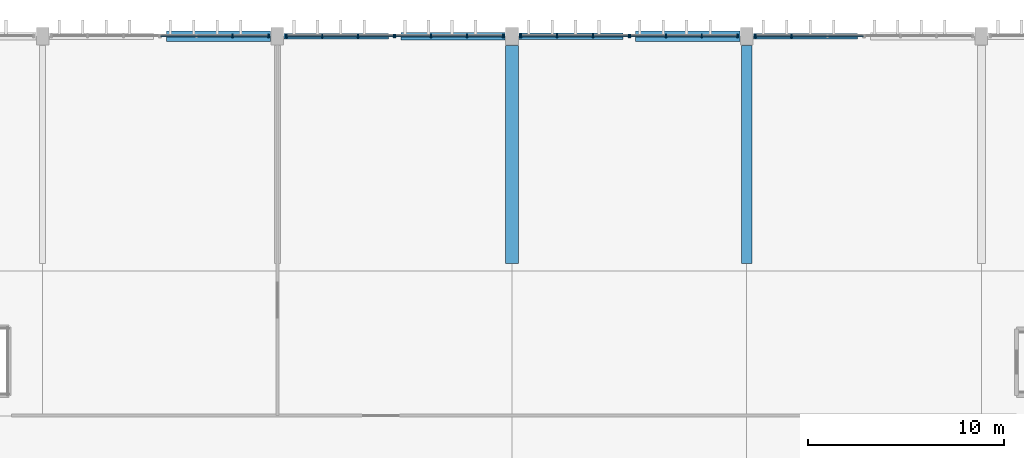
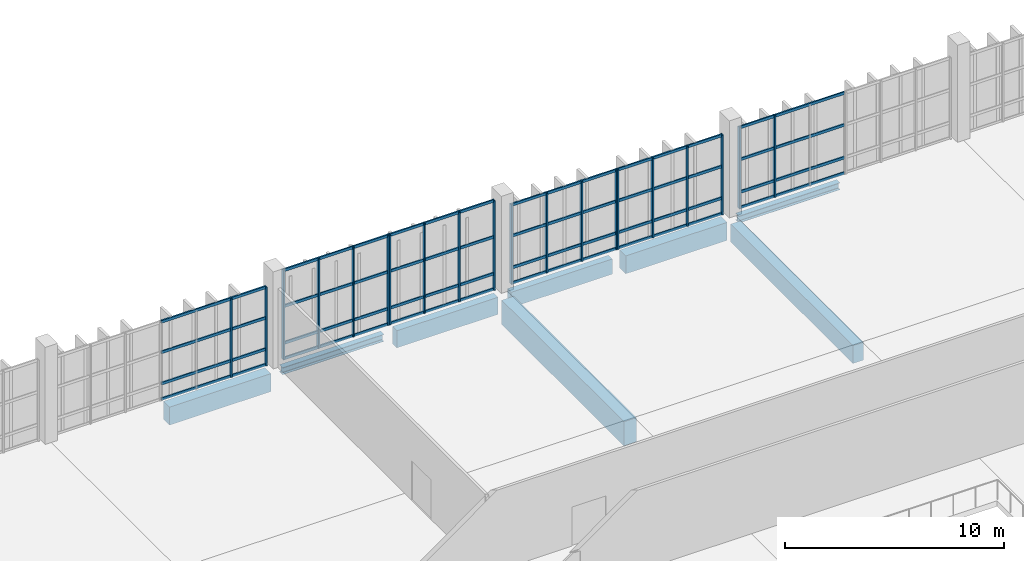
# One storey, part 55 of 112: 44 members, 8 beams, 6 elements without a shape of their own.
"""IFC4 building model written with IfcOpenShell, lengths in metres."""

from ifc_helpers import new_model, si_unit, direction, frame, origin, origin_2d, place, context, subcontext, project, spatial, rectangle, i_section, extrude, material, material_profile, profile_set, type_object, element, aggregate, save


model = new_model("IFC4")

# Units and contexts
model_context = context("Model", 3, precision=1e-05, world=origin(), true_north=direction((0.0, 1.0)))
body_context = subcontext(model_context, "Body", "Model", "MODEL_VIEW")
ifc_project = project(units=[si_unit("LENGTHUNIT", "METRE"), si_unit("AREAUNIT", "SQUARE_METRE"), si_unit("VOLUMEUNIT", "CUBIC_METRE"), si_unit("PLANEANGLEUNIT", "RADIAN"), si_unit("MASSUNIT", "GRAM", prefix="KILO")], contexts=[model_context])

# Site, building, storey
site_placement = place(None, origin())
site = spatial("IfcSite", under=ifc_project, at=site_placement, CompositionType="ELEMENT")
building_placement = place(site_placement, origin())
building = spatial("IfcBuilding", under=site, at=building_placement, Name="Kamomehara Wholesale Market", CompositionType="ELEMENT")
storey_placement = place(building_placement, frame((0.0, 0.0, 6.60009765625)))
storey = spatial("IfcBuildingStorey", under=building, at=storey_placement, Name="L01", CompositionType="ELEMENT", Elevation=6.60009765625)

# Beams
ifc_material_1 = material(Name="Precast concrete Fc45 (C40/50)", Category="concrete")
ifc_material_profile_1 = material_profile(ifc_material_1, rectangle(XDim=0.64990234375, YDim=1.35009765625, at=origin_2d()), Name="PC-GRD-650x1350")
ifc_profile_set_1 = profile_set([ifc_material_profile_1], Name="Precast concrete Fc45 (C40/50)")
beam_type_1 = type_object("IfcBeamType", Name="BM-PG1350", PredefinedType="T_BEAM", material=ifc_profile_set_1)
beam_1_placement = place(storey_placement, frame((144.0, 144.375, -1.027099609375), z_axis=(0.0, 1.0, 0.0), x_axis=(-1.0, 0.0, 0.0)))
element("IfcBeam", 1, at=beam_1_placement, inside=storey, type_object=beam_type_1, Name="Beam PG-03 L01", PredefinedType="T_BEAM", context=body_context, shape_type="SweptSolid", body=[
    extrude(rectangle(XDim=0.64990234375, YDim=1.35009765625, at=origin_2d()), origin(), (0.0, 0.0, 1.0), 11.14990234375),
])
ifc_material_2 = material(Name="Concrete Fc36 (C35/45)", Category="concrete")
ifc_material_profile_2 = material_profile(ifc_material_2, rectangle(XDim=0.550048828125, YDim=1.0, at=origin_2d()), Name="RC-SEB-550x1000")
ifc_profile_set_2 = profile_set([ifc_material_profile_2], Name="Concrete Fc36 (C35/45)")
beam_type_2 = type_object("IfcBeamType", Name="BM-SEB1000-EXT", PredefinedType="SPANDREL", material=ifc_profile_set_2)
beam_2_placement = place(storey_placement, frame((156.0, 144.375, -0.842041015625), z_axis=(0.0, 1.0, 0.0), x_axis=(-1.0, 0.0, 0.0)))
element("IfcBeam", 2, at=beam_2_placement, inside=storey, type_object=beam_type_2, Name="Beam SEB-03E L01", PredefinedType="SPANDREL", context=body_context, shape_type="SweptSolid", body=[
    extrude(rectangle(XDim=0.550048828125, YDim=1.0, at=origin_2d()), origin(), (0.0, 0.0, 1.0), 11.14990234375),
])
for number, where, z_axis, x_axis, name in (
    (3, (126.324951171875, 156.0, -0.85205078125), (1.0, 0.0, 0.0), (0.0, 1.0, 0.0), "Beam SEB-03E L01"),
    (4, (150.324951171875, 156.0, -0.842041015625), (1.0, 0.0, 0.0), (0.0, 1.0, 0.0), "Beam SEB-03E L01"),
):
    element("IfcBeam", number, at=place(storey_placement, frame(where, z_axis=z_axis, x_axis=x_axis)), inside=storey, type_object=beam_type_2, Name=name, PredefinedType="SPANDREL", context=body_context, shape_type="SweptSolid", body=[
        extrude(rectangle(XDim=0.550048828125, YDim=1.0, at=origin_2d()), origin(), (0.0, 0.0, 1.0), 5.324951171875),
    ])
ifc_material_3 = material(Name="Precast concrete Fc45 (C40/50)", Category="concrete")
ifc_material_profile_3 = material_profile(ifc_material_3, rectangle(XDim=0.35009765625, YDim=0.85009765625, at=origin_2d()), Name="PC-SPN-350x850")
ifc_profile_set_3 = profile_set([ifc_material_profile_3], Name="Precast concrete Fc45 (C40/50)")
beam_type_3 = type_object("IfcBeamType", Name="BM-SPN850-EXT", PredefinedType="SPANDREL", material=ifc_profile_set_3)
beam_3_placement = place(storey_placement, frame((144.35009765625, 156.0, -0.76708984375), z_axis=(1.0, 0.0, 0.0), x_axis=(0.0, 1.0, 0.0)))
element("IfcBeam", 5, at=beam_3_placement, inside=storey, type_object=beam_type_3, Name="Beam SPN-02E L01", PredefinedType="SPANDREL", context=body_context, shape_type="SweptSolid", body=[
    extrude(rectangle(XDim=0.35009765625, YDim=0.85009765625, at=origin_2d()), origin(), (0.0, 0.0, 1.0), 5.324951171875),
])
ifc_material_4 = material(Name="Precast concrete Fc45 (C40/50)", Category="concrete")
ifc_material_profile_4 = material_profile(ifc_material_4, rectangle(XDim=0.39990234375, YDim=0.949951171875, at=origin_2d()), Name="PC-SPN-400x950")
ifc_profile_set_4 = profile_set([ifc_material_profile_4], Name="Precast concrete Fc45 (C40/50)")
beam_type_4 = type_object("IfcBeamType", Name="BM-SPN950-EXT", PredefinedType="SPANDREL", material=ifc_profile_set_4)
beam_4_placement = place(storey_placement, frame((138.324951171875, 156.0, -0.8271484375), z_axis=(1.0, 0.0, 0.0), x_axis=(0.0, 1.0, 0.0)))
element("IfcBeam", 6, at=beam_4_placement, inside=storey, type_object=beam_type_4, Name="Beam SPN-01E L01", PredefinedType="SPANDREL", context=body_context, shape_type="SweptSolid", body=[
    extrude(rectangle(XDim=0.39990234375, YDim=0.949951171875, at=origin_2d()), origin(), (0.0, 0.0, 1.0), 5.324951171875),
])
ifc_material_5 = material(Name="Steel SN490B", Category="steel")
ifc_material_profile_5 = material_profile(ifc_material_5, i_section(OverallWidth=0.300048828125, OverallDepth=0.389892578125, WebThickness=0.010009765625, FlangeThickness=0.01611328125, FilletRadius=0.01806640625, at=origin_2d()), Name="H-390x300x10x16")
ifc_profile_set_5 = profile_set([ifc_material_profile_5], Name="Steel SN490B")
beam_type_5 = type_object("IfcBeamType", Name="BM-ST-H390-EXT", PredefinedType="SPANDREL", material=ifc_profile_set_5)
for number, where, z_axis, x_axis, name in (
    (7, (132.35009765625, 156.0, -0.547119140625), (1.0, 0.0, 0.0), (0.0, 1.0, 0.0), "Beam SJ-03E L01"),
    (8, (156.35009765625, 156.0, -0.51708984375), (1.0, 0.0, 0.0), (0.0, 1.0, 0.0), "Beam SJ-03E L01"),
):
    element("IfcBeam", number, at=place(storey_placement, frame(where, z_axis=z_axis, x_axis=x_axis)), inside=storey, type_object=beam_type_5, Name=name, PredefinedType="SPANDREL", context=body_context, shape_type="SweptSolid", body=[
        extrude(i_section(OverallWidth=0.300048828125, OverallDepth=0.389892578125, WebThickness=0.010009765625, FlangeThickness=0.01611328125, FilletRadius=0.01806640625, at=origin_2d()), origin(), (0.0, 0.0, 1.0), 5.324951171875),
    ])

# Curtain wall, members
ifc_material_6 = material(Name="Anodised aluminium 6063-T5", Category="aluminium")
curtain_wall_type = type_object("IfcCurtainWallType", Name="CW-UN-02", PredefinedType="NOTDEFINED", material=ifc_material_6)
curtain_wall_1_placement = place(storey_placement, origin())
curtain_wall_1 = element("IfcCurtainWall", 9, at=curtain_wall_1_placement, inside=storey, type_object=curtain_wall_type, Name="Unitised curtain wall CW-078", PredefinedType="NOTDEFINED")
ifc_material_7 = material(Name="Anodised aluminium 6063-T5", Category="aluminium")
ifc_material_profile_6 = material_profile(ifc_material_7, rectangle(XDim=0.074951171875, YDim=0.179931640625, at=origin_2d()), Name="ALU-MUL-75x180")
ifc_profile_set_6 = profile_set([ifc_material_profile_6], Name="Anodised aluminium 6063-T5")
member_type_1 = type_object("IfcMemberType", Name="CW-MUL-180", PredefinedType="MULLION", material=ifc_profile_set_6)
member_1_placement = place(storey_placement, frame((129.702880859375, 156.0, 0.0), z_axis=(0.0, 0.0, 1.0), x_axis=(1.0, 0.0, 0.0)))
member_1 = element("IfcMember", 10, at=member_1_placement, type_object=member_type_1, Name="Mullion CW-078.2", PredefinedType="MULLION", context=body_context, shape_type="SweptSolid", body=[
    extrude(rectangle(XDim=0.074951171875, YDim=0.179931640625, at=origin_2d()), origin(), (0.0, 0.0, 1.0), 4.3798828125),
])
member_2_placement = place(storey_placement, frame((131.5400390625, 156.0, 0.0), z_axis=(0.0, 0.0, 1.0), x_axis=(1.0, 0.0, 0.0)))
member_2 = element("IfcMember", 11, at=member_2_placement, type_object=member_type_1, Name="Mullion CW-078.3", PredefinedType="MULLION", context=body_context, shape_type="SweptSolid", body=[
    extrude(rectangle(XDim=0.074951171875, YDim=0.179931640625, at=origin_2d()), origin(), (0.0, 0.0, 1.0), 4.3798828125),
])

curtain_wall_2_placement = place(storey_placement, origin())
curtain_wall_2 = element("IfcCurtainWall", 12, at=curtain_wall_2_placement, inside=storey, type_object=curtain_wall_type, Name="Unitised curtain wall CW-081", PredefinedType="NOTDEFINED")
member_3_placement = place(storey_placement, frame((132.4599609375, 156.0, 0.0), z_axis=(0.0, 0.0, 1.0), x_axis=(1.0, 0.0, 0.0)))
member_3 = element("IfcMember", 13, at=member_3_placement, type_object=member_type_1, Name="Mullion CW-081.0", PredefinedType="MULLION", context=body_context, shape_type="SweptSolid", body=[
    extrude(rectangle(XDim=0.074951171875, YDim=0.179931640625, at=origin_2d()), origin(), (0.0, 0.0, 1.0), 4.989990234375),
])
member_4_placement = place(storey_placement, frame((134.297119140625, 156.0, 0.0), z_axis=(0.0, 0.0, 1.0), x_axis=(1.0, 0.0, 0.0)))
member_4 = element("IfcMember", 14, at=member_4_placement, type_object=member_type_1, Name="Mullion CW-081.1", PredefinedType="MULLION", context=body_context, shape_type="SweptSolid", body=[
    extrude(rectangle(XDim=0.074951171875, YDim=0.179931640625, at=origin_2d()), origin(), (0.0, 0.0, 1.0), 4.989990234375),
])
member_5_placement = place(storey_placement, frame((136.133056640625, 156.0, 0.0), z_axis=(0.0, 0.0, 1.0), x_axis=(1.0, 0.0, 0.0)))
member_5 = element("IfcMember", 15, at=member_5_placement, type_object=member_type_1, Name="Mullion CW-081.2", PredefinedType="MULLION", context=body_context, shape_type="SweptSolid", body=[
    extrude(rectangle(XDim=0.074951171875, YDim=0.179931640625, at=origin_2d()), origin(), (0.0, 0.0, 1.0), 4.989990234375),
])
member_6_placement = place(storey_placement, frame((137.969970703125, 156.0, 0.0), z_axis=(0.0, 0.0, 1.0), x_axis=(1.0, 0.0, 0.0)))
member_6 = element("IfcMember", 16, at=member_6_placement, type_object=member_type_1, Name="Mullion CW-081.3", PredefinedType="MULLION", context=body_context, shape_type="SweptSolid", body=[
    extrude(rectangle(XDim=0.074951171875, YDim=0.179931640625, at=origin_2d()), origin(), (0.0, 0.0, 1.0), 4.989990234375),
])

curtain_wall_3_placement = place(storey_placement, origin())
curtain_wall_3 = element("IfcCurtainWall", 17, at=curtain_wall_3_placement, inside=storey, type_object=curtain_wall_type, Name="Unitised curtain wall CW-082", PredefinedType="NOTDEFINED")
member_7_placement = place(storey_placement, frame((138.030029296875, 156.0, 0.0), z_axis=(0.0, 0.0, 1.0), x_axis=(1.0, 0.0, 0.0)))
member_7 = element("IfcMember", 18, at=member_7_placement, type_object=member_type_1, Name="Mullion CW-082.0", PredefinedType="MULLION", context=body_context, shape_type="SweptSolid", body=[
    extrude(rectangle(XDim=0.074951171875, YDim=0.179931640625, at=origin_2d()), origin(), (0.0, 0.0, 1.0), 4.989990234375),
])
member_8_placement = place(storey_placement, frame((139.866943359375, 156.0, 0.0), z_axis=(0.0, 0.0, 1.0), x_axis=(1.0, 0.0, 0.0)))
member_8 = element("IfcMember", 19, at=member_8_placement, type_object=member_type_1, Name="Mullion CW-082.1", PredefinedType="MULLION", context=body_context, shape_type="SweptSolid", body=[
    extrude(rectangle(XDim=0.074951171875, YDim=0.179931640625, at=origin_2d()), origin(), (0.0, 0.0, 1.0), 4.989990234375),
])
member_9_placement = place(storey_placement, frame((141.702880859375, 156.0, 0.0), z_axis=(0.0, 0.0, 1.0), x_axis=(1.0, 0.0, 0.0)))
member_9 = element("IfcMember", 20, at=member_9_placement, type_object=member_type_1, Name="Mullion CW-082.2", PredefinedType="MULLION", context=body_context, shape_type="SweptSolid", body=[
    extrude(rectangle(XDim=0.074951171875, YDim=0.179931640625, at=origin_2d()), origin(), (0.0, 0.0, 1.0), 4.989990234375),
])
member_10_placement = place(storey_placement, frame((143.5400390625, 156.0, 0.0), z_axis=(0.0, 0.0, 1.0), x_axis=(1.0, 0.0, 0.0)))
member_10 = element("IfcMember", 21, at=member_10_placement, type_object=member_type_1, Name="Mullion CW-082.3", PredefinedType="MULLION", context=body_context, shape_type="SweptSolid", body=[
    extrude(rectangle(XDim=0.074951171875, YDim=0.179931640625, at=origin_2d()), origin(), (0.0, 0.0, 1.0), 4.989990234375),
])

curtain_wall_4_placement = place(storey_placement, origin())
curtain_wall_4 = element("IfcCurtainWall", 22, at=curtain_wall_4_placement, inside=storey, type_object=curtain_wall_type, Name="Unitised curtain wall CW-085", PredefinedType="NOTDEFINED")
member_11_placement = place(storey_placement, frame((144.4599609375, 156.0, 0.0), z_axis=(0.0, 0.0, 1.0), x_axis=(1.0, 0.0, 0.0)))
member_11 = element("IfcMember", 23, at=member_11_placement, type_object=member_type_1, Name="Mullion CW-085.0", PredefinedType="MULLION", context=body_context, shape_type="SweptSolid", body=[
    extrude(rectangle(XDim=0.074951171875, YDim=0.179931640625, at=origin_2d()), origin(), (0.0, 0.0, 1.0), 4.429931640625),
])
member_12_placement = place(storey_placement, frame((146.297119140625, 156.0, 0.0), z_axis=(0.0, 0.0, 1.0), x_axis=(1.0, 0.0, 0.0)))
member_12 = element("IfcMember", 24, at=member_12_placement, type_object=member_type_1, Name="Mullion CW-085.1", PredefinedType="MULLION", context=body_context, shape_type="SweptSolid", body=[
    extrude(rectangle(XDim=0.074951171875, YDim=0.179931640625, at=origin_2d()), origin(), (0.0, 0.0, 1.0), 4.429931640625),
])
member_13_placement = place(storey_placement, frame((148.133056640625, 156.0, 0.0), z_axis=(0.0, 0.0, 1.0), x_axis=(1.0, 0.0, 0.0)))
member_13 = element("IfcMember", 25, at=member_13_placement, type_object=member_type_1, Name="Mullion CW-085.2", PredefinedType="MULLION", context=body_context, shape_type="SweptSolid", body=[
    extrude(rectangle(XDim=0.074951171875, YDim=0.179931640625, at=origin_2d()), origin(), (0.0, 0.0, 1.0), 4.429931640625),
])
member_14_placement = place(storey_placement, frame((149.969970703125, 156.0, 0.0), z_axis=(0.0, 0.0, 1.0), x_axis=(1.0, 0.0, 0.0)))
member_14 = element("IfcMember", 26, at=member_14_placement, type_object=member_type_1, Name="Mullion CW-085.3", PredefinedType="MULLION", context=body_context, shape_type="SweptSolid", body=[
    extrude(rectangle(XDim=0.074951171875, YDim=0.179931640625, at=origin_2d()), origin(), (0.0, 0.0, 1.0), 4.429931640625),
])

curtain_wall_5_placement = place(storey_placement, origin())
curtain_wall_5 = element("IfcCurtainWall", 27, at=curtain_wall_5_placement, inside=storey, type_object=curtain_wall_type, Name="Unitised curtain wall CW-086", PredefinedType="NOTDEFINED")
member_15_placement = place(storey_placement, frame((150.030029296875, 156.0, 0.0), z_axis=(0.0, 0.0, 1.0), x_axis=(1.0, 0.0, 0.0)))
member_15 = element("IfcMember", 28, at=member_15_placement, type_object=member_type_1, Name="Mullion CW-086.0", PredefinedType="MULLION", context=body_context, shape_type="SweptSolid", body=[
    extrude(rectangle(XDim=0.074951171875, YDim=0.179931640625, at=origin_2d()), origin(), (0.0, 0.0, 1.0), 4.429931640625),
])
member_16_placement = place(storey_placement, frame((151.866943359375, 156.0, 0.0), z_axis=(0.0, 0.0, 1.0), x_axis=(1.0, 0.0, 0.0)))
member_16 = element("IfcMember", 29, at=member_16_placement, type_object=member_type_1, Name="Mullion CW-086.1", PredefinedType="MULLION", context=body_context, shape_type="SweptSolid", body=[
    extrude(rectangle(XDim=0.074951171875, YDim=0.179931640625, at=origin_2d()), origin(), (0.0, 0.0, 1.0), 4.429931640625),
])
member_17_placement = place(storey_placement, frame((153.702880859375, 156.0, 0.0), z_axis=(0.0, 0.0, 1.0), x_axis=(1.0, 0.0, 0.0)))
member_17 = element("IfcMember", 30, at=member_17_placement, type_object=member_type_1, Name="Mullion CW-086.2", PredefinedType="MULLION", context=body_context, shape_type="SweptSolid", body=[
    extrude(rectangle(XDim=0.074951171875, YDim=0.179931640625, at=origin_2d()), origin(), (0.0, 0.0, 1.0), 4.429931640625),
])
member_18_placement = place(storey_placement, frame((155.5400390625, 156.0, 0.0), z_axis=(0.0, 0.0, 1.0), x_axis=(1.0, 0.0, 0.0)))
member_18 = element("IfcMember", 31, at=member_18_placement, type_object=member_type_1, Name="Mullion CW-086.3", PredefinedType="MULLION", context=body_context, shape_type="SweptSolid", body=[
    extrude(rectangle(XDim=0.074951171875, YDim=0.179931640625, at=origin_2d()), origin(), (0.0, 0.0, 1.0), 4.429931640625),
])

curtain_wall_6_placement = place(storey_placement, origin())
curtain_wall_6 = element("IfcCurtainWall", 32, at=curtain_wall_6_placement, inside=storey, type_object=curtain_wall_type, Name="Unitised curtain wall CW-089", PredefinedType="NOTDEFINED")
member_19_placement = place(storey_placement, frame((156.4599609375, 156.0, 0.0), z_axis=(0.0, 0.0, 1.0), x_axis=(1.0, 0.0, 0.0)))
member_19 = element("IfcMember", 33, at=member_19_placement, type_object=member_type_1, Name="Mullion CW-089.0", PredefinedType="MULLION", context=body_context, shape_type="SweptSolid", body=[
    extrude(rectangle(XDim=0.074951171875, YDim=0.179931640625, at=origin_2d()), origin(), (0.0, 0.0, 1.0), 4.52978515625),
])
member_20_placement = place(storey_placement, frame((158.297119140625, 156.0, 0.0), z_axis=(0.0, 0.0, 1.0), x_axis=(1.0, 0.0, 0.0)))
member_20 = element("IfcMember", 34, at=member_20_placement, type_object=member_type_1, Name="Mullion CW-089.1", PredefinedType="MULLION", context=body_context, shape_type="SweptSolid", body=[
    extrude(rectangle(XDim=0.074951171875, YDim=0.179931640625, at=origin_2d()), origin(), (0.0, 0.0, 1.0), 4.52978515625),
])

# Member
ifc_material_8 = material(Name="Anodised aluminium 6063-T5", Category="aluminium")
ifc_material_profile_7 = material_profile(ifc_material_8, rectangle(XDim=0.074951171875, YDim=0.14990234375, at=origin_2d()), Name="ALU-TRN-75x150")
ifc_profile_set_7 = profile_set([ifc_material_profile_7], Name="Anodised aluminium 6063-T5")
member_type_2 = type_object("IfcMemberType", Name="CW-TRN-150", PredefinedType="USERDEFINED", material=ifc_profile_set_7)
member_21_placement = place(storey_placement, frame((126.030029296875, 156.0, 0.039794921875), z_axis=(1.0, 0.0, 0.0), x_axis=(0.0, 1.0, 0.0)))
member_21 = element("IfcMember", 35, at=member_21_placement, type_object=member_type_2, Name="Transom CW-078.0", ObjectType="TRANSOM", PredefinedType="USERDEFINED", context=body_context, shape_type="SweptSolid", body=[
    extrude(rectangle(XDim=0.074951171875, YDim=0.14990234375, at=origin_2d()), origin(), (0.0, 0.0, 1.0), 5.510009765625),
])

member_22_placement = place(storey_placement, frame((126.030029296875, 156.0, 0.89990234375), z_axis=(1.0, 0.0, 0.0), x_axis=(0.0, 1.0, 0.0)))
member_22 = element("IfcMember", 36, at=member_22_placement, type_object=member_type_2, Name="Transom CW-078.1", ObjectType="TRANSOM", PredefinedType="USERDEFINED", context=body_context, shape_type="SweptSolid", body=[
    extrude(rectangle(XDim=0.074951171875, YDim=0.14990234375, at=origin_2d()), origin(), (0.0, 0.0, 1.0), 5.510009765625),
])

member_23_placement = place(storey_placement, frame((126.030029296875, 156.0, 2.639892578125), z_axis=(1.0, 0.0, 0.0), x_axis=(0.0, 1.0, 0.0)))
member_23 = element("IfcMember", 37, at=member_23_placement, type_object=member_type_2, Name="Transom CW-078.2", ObjectType="TRANSOM", PredefinedType="USERDEFINED", context=body_context, shape_type="SweptSolid", body=[
    extrude(rectangle(XDim=0.074951171875, YDim=0.14990234375, at=origin_2d()), origin(), (0.0, 0.0, 1.0), 5.510009765625),
])

member_24_placement = place(storey_placement, frame((126.030029296875, 156.0, 4.33984375), z_axis=(1.0, 0.0, 0.0), x_axis=(0.0, 1.0, 0.0)))
member_24 = element("IfcMember", 38, at=member_24_placement, type_object=member_type_2, Name="Transom CW-078.3", ObjectType="TRANSOM", PredefinedType="USERDEFINED", context=body_context, shape_type="SweptSolid", body=[
    extrude(rectangle(XDim=0.074951171875, YDim=0.14990234375, at=origin_2d()), origin(), (0.0, 0.0, 1.0), 5.510009765625),
])

aggregate(curtain_wall_1, [member_1, member_2, member_21, member_22, member_23, member_24])

member_25_placement = place(storey_placement, frame((132.4599609375, 156.0, 0.039794921875), z_axis=(1.0, 0.0, 0.0), x_axis=(0.0, 1.0, 0.0)))
member_25 = element("IfcMember", 39, at=member_25_placement, type_object=member_type_2, Name="Transom CW-081.0", ObjectType="TRANSOM", PredefinedType="USERDEFINED", context=body_context, shape_type="SweptSolid", body=[
    extrude(rectangle(XDim=0.074951171875, YDim=0.14990234375, at=origin_2d()), origin(), (0.0, 0.0, 1.0), 5.510009765625),
])

member_26_placement = place(storey_placement, frame((132.4599609375, 156.0, 0.89990234375), z_axis=(1.0, 0.0, 0.0), x_axis=(0.0, 1.0, 0.0)))
member_26 = element("IfcMember", 40, at=member_26_placement, type_object=member_type_2, Name="Transom CW-081.1", ObjectType="TRANSOM", PredefinedType="USERDEFINED", context=body_context, shape_type="SweptSolid", body=[
    extrude(rectangle(XDim=0.074951171875, YDim=0.14990234375, at=origin_2d()), origin(), (0.0, 0.0, 1.0), 5.510009765625),
])

member_27_placement = place(storey_placement, frame((132.4599609375, 156.0, 2.94482421875), z_axis=(1.0, 0.0, 0.0), x_axis=(0.0, 1.0, 0.0)))
member_27 = element("IfcMember", 41, at=member_27_placement, type_object=member_type_2, Name="Transom CW-081.2", ObjectType="TRANSOM", PredefinedType="USERDEFINED", context=body_context, shape_type="SweptSolid", body=[
    extrude(rectangle(XDim=0.074951171875, YDim=0.14990234375, at=origin_2d()), origin(), (0.0, 0.0, 1.0), 5.510009765625),
])

member_28_placement = place(storey_placement, frame((132.4599609375, 156.0, 4.949951171875), z_axis=(1.0, 0.0, 0.0), x_axis=(0.0, 1.0, 0.0)))
member_28 = element("IfcMember", 42, at=member_28_placement, type_object=member_type_2, Name="Transom CW-081.3", ObjectType="TRANSOM", PredefinedType="USERDEFINED", context=body_context, shape_type="SweptSolid", body=[
    extrude(rectangle(XDim=0.074951171875, YDim=0.14990234375, at=origin_2d()), origin(), (0.0, 0.0, 1.0), 5.510009765625),
])

aggregate(curtain_wall_2, [member_3, member_4, member_5, member_6, member_25, member_26, member_27, member_28])

member_29_placement = place(storey_placement, frame((138.030029296875, 156.0, 0.039794921875), z_axis=(1.0, 0.0, 0.0), x_axis=(0.0, 1.0, 0.0)))
member_29 = element("IfcMember", 43, at=member_29_placement, type_object=member_type_2, Name="Transom CW-082.0", ObjectType="TRANSOM", PredefinedType="USERDEFINED", context=body_context, shape_type="SweptSolid", body=[
    extrude(rectangle(XDim=0.074951171875, YDim=0.14990234375, at=origin_2d()), origin(), (0.0, 0.0, 1.0), 5.510009765625),
])

member_30_placement = place(storey_placement, frame((138.030029296875, 156.0, 0.89990234375), z_axis=(1.0, 0.0, 0.0), x_axis=(0.0, 1.0, 0.0)))
member_30 = element("IfcMember", 44, at=member_30_placement, type_object=member_type_2, Name="Transom CW-082.1", ObjectType="TRANSOM", PredefinedType="USERDEFINED", context=body_context, shape_type="SweptSolid", body=[
    extrude(rectangle(XDim=0.074951171875, YDim=0.14990234375, at=origin_2d()), origin(), (0.0, 0.0, 1.0), 5.510009765625),
])

member_31_placement = place(storey_placement, frame((138.030029296875, 156.0, 2.94482421875), z_axis=(1.0, 0.0, 0.0), x_axis=(0.0, 1.0, 0.0)))
member_31 = element("IfcMember", 45, at=member_31_placement, type_object=member_type_2, Name="Transom CW-082.2", ObjectType="TRANSOM", PredefinedType="USERDEFINED", context=body_context, shape_type="SweptSolid", body=[
    extrude(rectangle(XDim=0.074951171875, YDim=0.14990234375, at=origin_2d()), origin(), (0.0, 0.0, 1.0), 5.510009765625),
])

member_32_placement = place(storey_placement, frame((138.030029296875, 156.0, 4.949951171875), z_axis=(1.0, 0.0, 0.0), x_axis=(0.0, 1.0, 0.0)))
member_32 = element("IfcMember", 46, at=member_32_placement, type_object=member_type_2, Name="Transom CW-082.3", ObjectType="TRANSOM", PredefinedType="USERDEFINED", context=body_context, shape_type="SweptSolid", body=[
    extrude(rectangle(XDim=0.074951171875, YDim=0.14990234375, at=origin_2d()), origin(), (0.0, 0.0, 1.0), 5.510009765625),
])

aggregate(curtain_wall_3, [member_7, member_8, member_9, member_10, member_29, member_30, member_31, member_32])

member_33_placement = place(storey_placement, frame((144.4599609375, 156.0, 0.039794921875), z_axis=(1.0, 0.0, 0.0), x_axis=(0.0, 1.0, 0.0)))
member_33 = element("IfcMember", 47, at=member_33_placement, type_object=member_type_2, Name="Transom CW-085.0", ObjectType="TRANSOM", PredefinedType="USERDEFINED", context=body_context, shape_type="SweptSolid", body=[
    extrude(rectangle(XDim=0.074951171875, YDim=0.14990234375, at=origin_2d()), origin(), (0.0, 0.0, 1.0), 5.510009765625),
])

member_34_placement = place(storey_placement, frame((144.4599609375, 156.0, 0.89990234375), z_axis=(1.0, 0.0, 0.0), x_axis=(0.0, 1.0, 0.0)))
member_34 = element("IfcMember", 48, at=member_34_placement, type_object=member_type_2, Name="Transom CW-085.1", ObjectType="TRANSOM", PredefinedType="USERDEFINED", context=body_context, shape_type="SweptSolid", body=[
    extrude(rectangle(XDim=0.074951171875, YDim=0.14990234375, at=origin_2d()), origin(), (0.0, 0.0, 1.0), 5.510009765625),
])

member_35_placement = place(storey_placement, frame((144.4599609375, 156.0, 2.664794921875), z_axis=(1.0, 0.0, 0.0), x_axis=(0.0, 1.0, 0.0)))
member_35 = element("IfcMember", 49, at=member_35_placement, type_object=member_type_2, Name="Transom CW-085.2", ObjectType="TRANSOM", PredefinedType="USERDEFINED", context=body_context, shape_type="SweptSolid", body=[
    extrude(rectangle(XDim=0.074951171875, YDim=0.14990234375, at=origin_2d()), origin(), (0.0, 0.0, 1.0), 5.510009765625),
])

member_36_placement = place(storey_placement, frame((144.4599609375, 156.0, 4.389892578125), z_axis=(1.0, 0.0, 0.0), x_axis=(0.0, 1.0, 0.0)))
member_36 = element("IfcMember", 50, at=member_36_placement, type_object=member_type_2, Name="Transom CW-085.3", ObjectType="TRANSOM", PredefinedType="USERDEFINED", context=body_context, shape_type="SweptSolid", body=[
    extrude(rectangle(XDim=0.074951171875, YDim=0.14990234375, at=origin_2d()), origin(), (0.0, 0.0, 1.0), 5.510009765625),
])

aggregate(curtain_wall_4, [member_11, member_12, member_13, member_14, member_33, member_34, member_35, member_36])

member_37_placement = place(storey_placement, frame((150.030029296875, 156.0, 0.039794921875), z_axis=(1.0, 0.0, 0.0), x_axis=(0.0, 1.0, 0.0)))
member_37 = element("IfcMember", 51, at=member_37_placement, type_object=member_type_2, Name="Transom CW-086.0", ObjectType="TRANSOM", PredefinedType="USERDEFINED", context=body_context, shape_type="SweptSolid", body=[
    extrude(rectangle(XDim=0.074951171875, YDim=0.14990234375, at=origin_2d()), origin(), (0.0, 0.0, 1.0), 5.510009765625),
])

member_38_placement = place(storey_placement, frame((150.030029296875, 156.0, 0.89990234375), z_axis=(1.0, 0.0, 0.0), x_axis=(0.0, 1.0, 0.0)))
member_38 = element("IfcMember", 52, at=member_38_placement, type_object=member_type_2, Name="Transom CW-086.1", ObjectType="TRANSOM", PredefinedType="USERDEFINED", context=body_context, shape_type="SweptSolid", body=[
    extrude(rectangle(XDim=0.074951171875, YDim=0.14990234375, at=origin_2d()), origin(), (0.0, 0.0, 1.0), 5.510009765625),
])

member_39_placement = place(storey_placement, frame((150.030029296875, 156.0, 2.664794921875), z_axis=(1.0, 0.0, 0.0), x_axis=(0.0, 1.0, 0.0)))
member_39 = element("IfcMember", 53, at=member_39_placement, type_object=member_type_2, Name="Transom CW-086.2", ObjectType="TRANSOM", PredefinedType="USERDEFINED", context=body_context, shape_type="SweptSolid", body=[
    extrude(rectangle(XDim=0.074951171875, YDim=0.14990234375, at=origin_2d()), origin(), (0.0, 0.0, 1.0), 5.510009765625),
])

member_40_placement = place(storey_placement, frame((150.030029296875, 156.0, 4.389892578125), z_axis=(1.0, 0.0, 0.0), x_axis=(0.0, 1.0, 0.0)))
member_40 = element("IfcMember", 54, at=member_40_placement, type_object=member_type_2, Name="Transom CW-086.3", ObjectType="TRANSOM", PredefinedType="USERDEFINED", context=body_context, shape_type="SweptSolid", body=[
    extrude(rectangle(XDim=0.074951171875, YDim=0.14990234375, at=origin_2d()), origin(), (0.0, 0.0, 1.0), 5.510009765625),
])

aggregate(curtain_wall_5, [member_15, member_16, member_17, member_18, member_37, member_38, member_39, member_40])

member_41_placement = place(storey_placement, frame((156.4599609375, 156.0, 0.039794921875), z_axis=(1.0, 0.0, 0.0), x_axis=(0.0, 1.0, 0.0)))
member_41 = element("IfcMember", 55, at=member_41_placement, type_object=member_type_2, Name="Transom CW-089.0", ObjectType="TRANSOM", PredefinedType="USERDEFINED", context=body_context, shape_type="SweptSolid", body=[
    extrude(rectangle(XDim=0.074951171875, YDim=0.14990234375, at=origin_2d()), origin(), (0.0, 0.0, 1.0), 5.510009765625),
])

member_42_placement = place(storey_placement, frame((156.4599609375, 156.0, 0.89990234375), z_axis=(1.0, 0.0, 0.0), x_axis=(0.0, 1.0, 0.0)))
member_42 = element("IfcMember", 56, at=member_42_placement, type_object=member_type_2, Name="Transom CW-089.1", ObjectType="TRANSOM", PredefinedType="USERDEFINED", context=body_context, shape_type="SweptSolid", body=[
    extrude(rectangle(XDim=0.074951171875, YDim=0.14990234375, at=origin_2d()), origin(), (0.0, 0.0, 1.0), 5.510009765625),
])

member_43_placement = place(storey_placement, frame((156.4599609375, 156.0, 2.71484375), z_axis=(1.0, 0.0, 0.0), x_axis=(0.0, 1.0, 0.0)))
member_43 = element("IfcMember", 57, at=member_43_placement, type_object=member_type_2, Name="Transom CW-089.2", ObjectType="TRANSOM", PredefinedType="USERDEFINED", context=body_context, shape_type="SweptSolid", body=[
    extrude(rectangle(XDim=0.074951171875, YDim=0.14990234375, at=origin_2d()), origin(), (0.0, 0.0, 1.0), 5.510009765625),
])

member_44_placement = place(storey_placement, frame((156.4599609375, 156.0, 4.489990234375), z_axis=(1.0, 0.0, 0.0), x_axis=(0.0, 1.0, 0.0)))
member_44 = element("IfcMember", 58, at=member_44_placement, type_object=member_type_2, Name="Transom CW-089.3", ObjectType="TRANSOM", PredefinedType="USERDEFINED", context=body_context, shape_type="SweptSolid", body=[
    extrude(rectangle(XDim=0.074951171875, YDim=0.14990234375, at=origin_2d()), origin(), (0.0, 0.0, 1.0), 5.510009765625),
])

aggregate(curtain_wall_6, [member_19, member_20, member_41, member_42, member_43, member_44])

save(model, "model.ifc")
